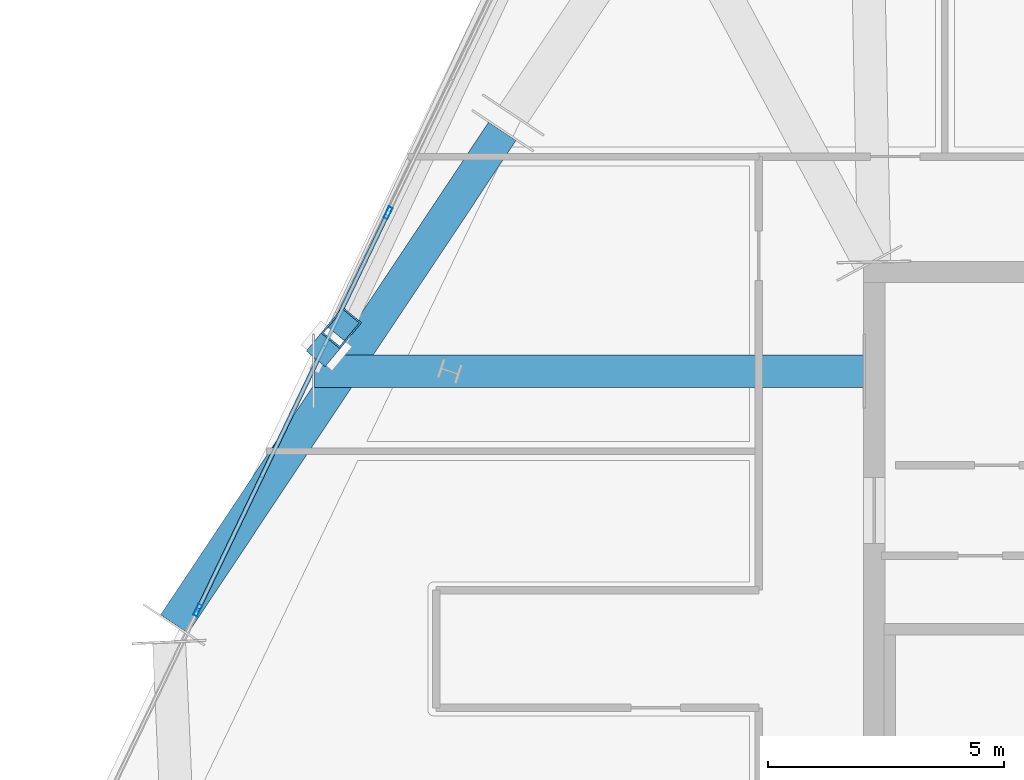
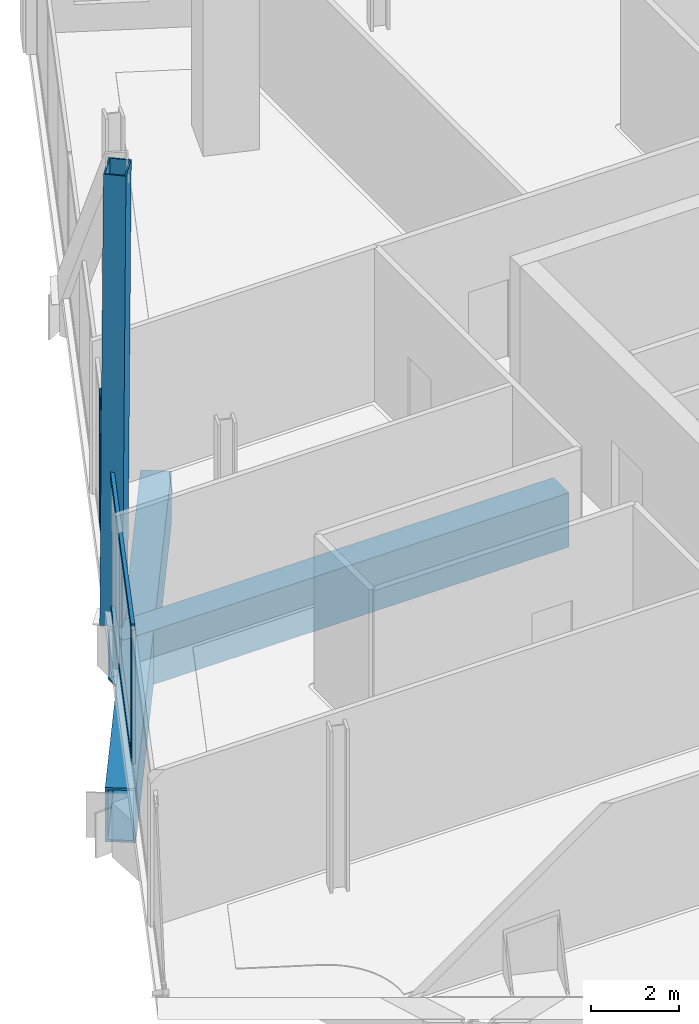
# One storey, part 9 of 24: 5 members, 2 beams, 1 element without a shape of its own.
"""IFC4 building model written with IfcOpenShell, lengths in metres."""

from ifc_helpers import new_model, si_unit, direction, frame, origin, origin_2d, place, context, subcontext, project, spatial, hollow_rectangle, extrude, material, material_profile, profile_set, type_object, element, aggregate, save


model = new_model("IFC4")

# Units and contexts
model_context = context("Model", 3, precision=1e-05, world=origin(), true_north=direction((0.0, 1.0)))
body_context = subcontext(model_context, "Body", "Model", "MODEL_VIEW")
ifc_project = project(units=[si_unit("LENGTHUNIT", "METRE"), si_unit("AREAUNIT", "SQUARE_METRE"), si_unit("VOLUMEUNIT", "CUBIC_METRE"), si_unit("PLANEANGLEUNIT", "RADIAN"), si_unit("MASSUNIT", "GRAM", prefix="KILO")], contexts=[model_context])

# Site, building, storey
site_placement = place(None, origin())
site = spatial("IfcSite", under=ifc_project, at=site_placement, CompositionType="ELEMENT")
building_placement = place(site_placement, origin())
building = spatial("IfcBuilding", under=site, at=building_placement, Name="Haldenkirk Collegiate Tower", CompositionType="ELEMENT")
storey_placement = place(building_placement, frame((0.0, 0.0, 244.199951171875)))
storey = spatial("IfcBuildingStorey", under=building, at=storey_placement, Name="L61", CompositionType="ELEMENT", Elevation=244.199951171875)

# Beams
ifc_material_1 = material(Name="Steel ASTM A572 Grade 50", Category="steel")
ifc_material_profile_1 = material_profile(ifc_material_1, hollow_rectangle(XDim=0.699951171875, YDim=1.5, WallThickness=0.06005859375, at=origin_2d()), Name="BOX1500X700X60")
ifc_profile_set_1 = profile_set([ifc_material_profile_1], Name="Steel ASTM A572 Grade 50")
beam_type = type_object("IfcBeamType", Name="BM-TRANSFER-BOX1500X700X60", PredefinedType="BEAM", material=ifc_profile_set_1)
beam_1_placement = place(storey_placement, frame((19.106201171875, 36.98486328125, -1.14990234375), z_axis=(-0.554117024454, -0.832438780458, 0.0), x_axis=(0.832438780458, -0.554117024454, 0.0)))
element("IfcBeam", 1, at=beam_1_placement, inside=storey, type_object=beam_type, Name="L61 sky-lobby perimeter transfer girder 11", PredefinedType="BEAM", context=body_context, shape_type="SweptSolid", body=[
    extrude(hollow_rectangle(XDim=0.699951171875, YDim=1.5, WallThickness=0.06005859375, at=origin_2d()), origin(), (0.0, 0.0, 1.0), 12.562255859375),
])
beam_2_placement = place(storey_placement, frame((15.116455078125, 31.8935546875, -1.14990234375), z_axis=(1.0, 0.0, 0.0), x_axis=(0.0, 1.0, 0.0)))
element("IfcBeam", 2, at=beam_2_placement, inside=storey, type_object=beam_type, Name="L61 sky-lobby radial transfer girder 12", PredefinedType="BEAM", context=body_context, shape_type="SweptSolid", body=[
    extrude(hollow_rectangle(XDim=0.699951171875, YDim=1.5, WallThickness=0.06005859375, at=origin_2d()), origin(), (0.0, 0.0, 1.0), 11.653564453125),
])

# Curtain wall, members
ifc_material_2 = material(Name="Anodised architectural bronze aluminium", Category="aluminium")
curtain_wall_type = type_object("IfcCurtainWallType", Name="CW-SYS4-SKYGARDEN", PredefinedType="USERDEFINED", material=ifc_material_2)
curtain_wall_placement = place(storey_placement, origin())
curtain_wall = element("IfcCurtainWall", 3, at=curtain_wall_placement, inside=storey, type_object=curtain_wall_type, Name="L61 Sky-garden tall bronze curtain wall", ObjectType="UNITISED CURTAIN WALL", PredefinedType="USERDEFINED")
ifc_material_profile_2 = material_profile(ifc_material_2, hollow_rectangle(XDim=0.090087890625, YDim=0.260009765625, WallThickness=0.0048828125, at=origin_2d()), Name="CW-MUL-04")
ifc_profile_set_2 = profile_set([ifc_material_profile_2], Name="Anodised architectural bronze aluminium")
member_type_1 = type_object("IfcMemberType", Name="CW-MUL-04", PredefinedType="MULLION", material=ifc_profile_set_2)
member_1_placement = place(storey_placement, frame((12.642578125, 26.822998046875, 0.0), z_axis=(0.0, 0.0, 1.0), x_axis=(-0.90183341563, 0.432083892841, 0.0)))
member_1 = element("IfcMember", 4, at=member_1_placement, type_object=member_type_1, Name="CW-04 mullion 2", PredefinedType="MULLION", context=body_context, shape_type="SweptSolid", body=[
    extrude(hollow_rectangle(XDim=0.090087890625, YDim=0.260009765625, WallThickness=0.0048828125, at=origin_2d()), origin(), (0.0, 0.0, 1.0), 3.68798828125),
])
member_2_placement = place(storey_placement, frame((16.6826171875, 35.25537109375, 0.0), z_axis=(0.0, 0.0, 1.0), x_axis=(-0.90183341563, 0.432083892841, 0.0)))
member_2 = element("IfcMember", 5, at=member_2_placement, type_object=member_type_1, Name="CW-04 mullion 3", PredefinedType="MULLION", context=body_context, shape_type="SweptSolid", body=[
    extrude(hollow_rectangle(XDim=0.090087890625, YDim=0.260009765625, WallThickness=0.0048828125, at=origin_2d()), origin(), (0.0, 0.0, 1.0), 3.68798828125),
])
ifc_material_profile_3 = material_profile(ifc_material_2, hollow_rectangle(XDim=0.090087890625, YDim=0.2099609375, WallThickness=0.0048828125, at=origin_2d()), Name="CW-TRN-04")
ifc_profile_set_3 = profile_set([ifc_material_profile_3], Name="Anodised architectural bronze aluminium")
member_type_2 = type_object("IfcMemberType", Name="CW-TRN-04", PredefinedType="USERDEFINED", material=ifc_profile_set_3)
member_3_placement = place(storey_placement, frame((12.662109375, 26.86376953125, 0.045166015625), z_axis=(0.432100971724, 0.901825232645, 0.0), x_axis=(-0.901825232645, 0.432100971724, 0.0)))
member_3 = element("IfcMember", 6, at=member_3_placement, type_object=member_type_2, Name="CW-04 transom 2.1", ObjectType="TRANSOM", PredefinedType="USERDEFINED", context=body_context, shape_type="SweptSolid", body=[
    extrude(hollow_rectangle(XDim=0.090087890625, YDim=0.2099609375, WallThickness=0.0048828125, at=origin_2d()), origin(), (0.0, 0.0, 1.0), 9.260009765625),
])
member_4_placement = place(storey_placement, frame((12.662109375, 26.86376953125, 3.64306640625), z_axis=(0.432100971724, 0.901825232645, 0.0), x_axis=(-0.901825232645, 0.432100971724, 0.0)))
member_4 = element("IfcMember", 7, at=member_4_placement, type_object=member_type_2, Name="CW-04 transom 2.2", ObjectType="TRANSOM", PredefinedType="USERDEFINED", context=body_context, shape_type="SweptSolid", body=[
    extrude(hollow_rectangle(XDim=0.090087890625, YDim=0.2099609375, WallThickness=0.0048828125, at=origin_2d()), origin(), (0.0, 0.0, 1.0), 9.260009765625),
])
aggregate(curtain_wall, [member_1, member_2, member_3, member_4])

# Member
ifc_material_profile_4 = material_profile(ifc_material_1, hollow_rectangle(XDim=0.52001953125, YDim=0.719970703125, WallThickness=0.035888671875, at=origin_2d()), Name="BOX720X520X36")
ifc_profile_set_4 = profile_set([ifc_material_profile_4], Name="Steel ASTM A572 Grade 50")
member_type_3 = type_object("IfcMemberType", Name="MBR-MEGABRACE-BOX720X520X36", PredefinedType="BRACE", material=ifc_profile_set_4)
member_5_placement = place(storey_placement, frame((15.375732421875, 32.434814453125, -0.409912109375), z_axis=(0.025902506087, 0.031211715409, 0.999177105922), x_axis=(-0.769520218683, 0.638622449526, 0.0)))
element("IfcMember", 8, at=member_5_placement, inside=storey, type_object=member_type_3, Name="Perimeter Mega Brace Z5 L61-L63 NR", PredefinedType="BRACE", context=body_context, shape_type="SweptSolid", body=[
    extrude(hollow_rectangle(XDim=0.52001953125, YDim=0.719970703125, WallThickness=0.035888671875, at=origin_2d()), origin(), (0.0, 0.0, 1.0), 12.139892578125),
])

save(model, "model.ifc")
